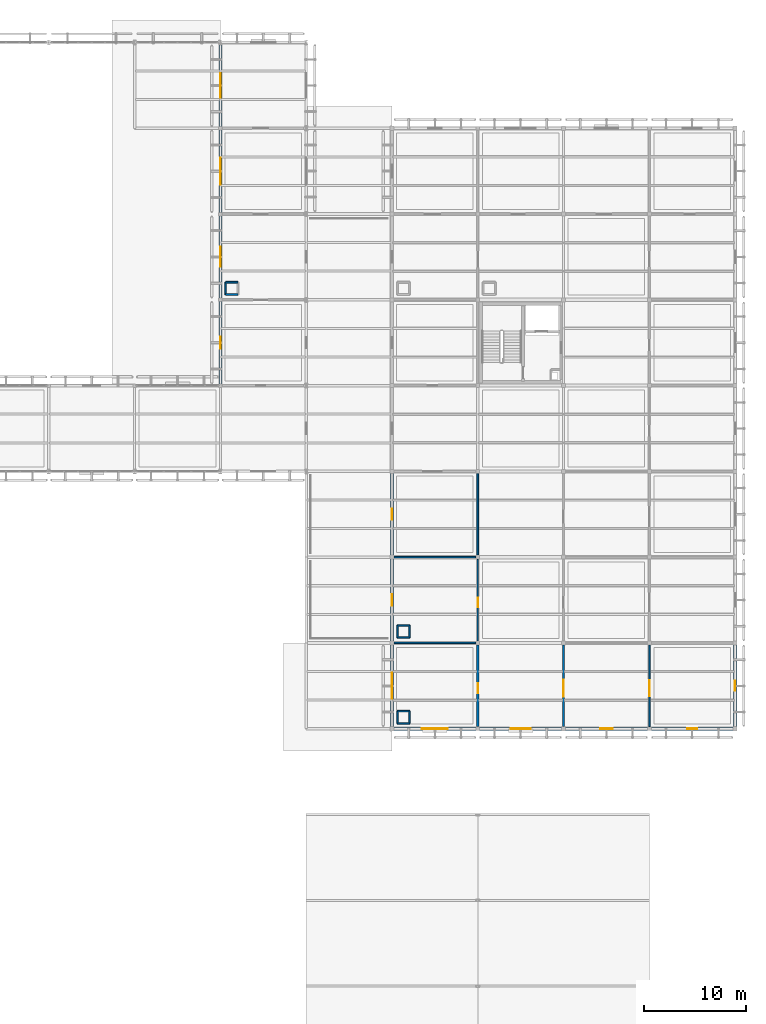
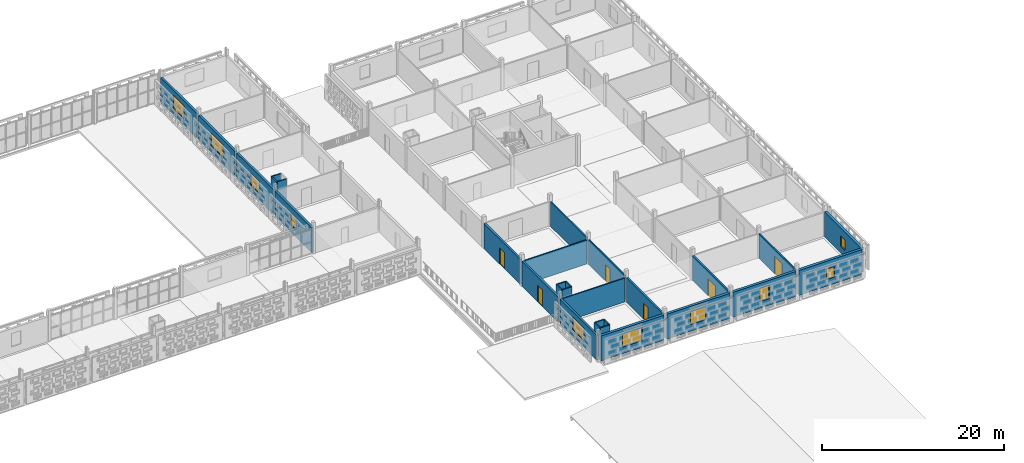
# One storey, part 89 of 140: 30 walls, 10 windows, 6 doors, 16 openings.
"""IFC4 building model written with IfcOpenShell, lengths in metres."""

from ifc_helpers import new_model, si_unit, direction, frame, frame_2d, origin, place, context, subcontext, project, spatial, rectangle, extrude, material, layer, layer_set, type_object, element, fill, save


model = new_model("IFC4")

# Units and contexts
model_context = context("Model", 3, precision=1e-05, world=origin(), true_north=direction((0.0, 1.0)))
body_context = subcontext(model_context, "Body", "Model", "MODEL_VIEW")
ifc_project = project(units=[si_unit("LENGTHUNIT", "METRE"), si_unit("AREAUNIT", "SQUARE_METRE"), si_unit("VOLUMEUNIT", "CUBIC_METRE"), si_unit("PLANEANGLEUNIT", "RADIAN"), si_unit("MASSUNIT", "GRAM", prefix="KILO")], contexts=[model_context])

# Site, building, storey
site_placement = place(None, origin())
site = spatial("IfcSite", under=ifc_project, at=site_placement, CompositionType="ELEMENT")
building_placement = place(site_placement, origin())
building = spatial("IfcBuilding", under=site, at=building_placement, Name="Varnapada Polytechnic", CompositionType="ELEMENT")
storey_placement = place(building_placement, frame((0.0, 0.0, 13.800048828125)))
storey = spatial("IfcBuildingStorey", under=building, at=storey_placement, Name="L03", CompositionType="ELEMENT", Elevation=13.800048828125)

# Walls
ifc_material_1 = material(Name="Autoclaved Aerated Concrete Block AAC-600", Category="concrete")
ifc_layer_1 = layer(ifc_material_1, 0.14990234375)
ifc_layer_set_1 = layer_set([ifc_layer_1], Name="Autoclaved Aerated Concrete Block AAC-600")
wall_type_1 = type_object("IfcWallType", Name="Interior Wall IW-02", PredefinedType="PARTITIONING", material=ifc_layer_set_1)
for number, where, z_axis, x_axis, name in (
    (1, (126.52001953125, 101.320068359375, 0.0), (0.0, 0.0, 1.0), (1.0, 0.0, 0.0), "L03 enclosed service riser wall (16,13) S"),
    (2, (127.719970703125, 102.52001953125, 0.0), (0.0, 0.0, 1.0), (-1.0, 0.0, 0.0), "L03 enclosed service riser wall (16,13) N"),
    (3, (126.52001953125, 102.52001953125, 0.0), (0.0, 0.0, 1.0), (0.0, -1.0, 0.0), "L03 enclosed service riser wall (16,13) W"),
):
    element("IfcWall", number, at=place(storey_placement, frame(where, z_axis=z_axis, x_axis=x_axis)), inside=storey, type_object=wall_type_1, Name=name, PredefinedType="PARTITIONING", context=body_context, shape_type="SweptSolid", body=[
        extrude(rectangle(XDim=1.199951171875, YDim=0.14990234375, at=frame_2d((0.60009765625, 0.0))), origin(), (0.0, 0.0, 1.0), 3.97998046875),
    ])
for number, where, z_axis, x_axis, name in (
    (4, (143.320068359375, 59.320068359375, 0.0), (0.0, 0.0, 1.0), (1.0, 0.0, 0.0), "L03 enclosed service riser wall (18,8) S"),
    (5, (144.52001953125, 59.320068359375, 0.0), (0.0, 0.0, 1.0), (0.0, 1.0, 0.0), "L03 enclosed service riser wall (18,8) E"),
    (6, (144.52001953125, 60.52001953125, 0.0), (0.0, 0.0, 1.0), (-1.0, 0.0, 0.0), "L03 enclosed service riser wall (18,8) N"),
    (7, (143.320068359375, 60.52001953125, 0.0), (0.0, 0.0, 1.0), (0.0, -1.0, 0.0), "L03 enclosed service riser wall (18,8) W"),
):
    element("IfcWall", number, at=place(storey_placement, frame(where, z_axis=z_axis, x_axis=x_axis)), inside=storey, type_object=wall_type_1, Name=name, PredefinedType="PARTITIONING", context=body_context, shape_type="SweptSolid", body=[
        extrude(rectangle(XDim=1.199951171875, YDim=0.14990234375, at=frame_2d((0.60009765625, 0.0))), origin(), (0.0, 0.0, 1.0), 3.969970703125),
    ])
for number, where, z_axis, x_axis, name in (
    (8, (143.320068359375, 67.719970703125, 0.0), (0.0, 0.0, 1.0), (1.0, 0.0, 0.0), "L03 enclosed service riser wall (18,9) S"),
    (9, (144.52001953125, 67.719970703125, 0.0), (0.0, 0.0, 1.0), (0.0, 1.0, 0.0), "L03 enclosed service riser wall (18,9) E"),
    (10, (144.52001953125, 68.919921875, 0.0), (0.0, 0.0, 1.0), (-1.0, 0.0, 0.0), "L03 enclosed service riser wall (18,9) N"),
    (11, (143.320068359375, 68.919921875, 0.0), (0.0, 0.0, 1.0), (0.0, -1.0, 0.0), "L03 enclosed service riser wall (18,9) W"),
):
    element("IfcWall", number, at=place(storey_placement, frame(where, z_axis=z_axis, x_axis=x_axis)), inside=storey, type_object=wall_type_1, Name=name, PredefinedType="PARTITIONING", context=body_context, shape_type="SweptSolid", body=[
        extrude(rectangle(XDim=1.199951171875, YDim=0.14990234375, at=frame_2d((0.60009765625, 0.0))), origin(), (0.0, 0.0, 1.0), 3.97998046875),
    ])
wall_1_placement = place(storey_placement, frame((143.02001953125, 67.199951171875, 0.0), z_axis=(0.0, 0.0, 1.0), x_axis=(1.0, 0.0, 0.0)))
element("IfcWall", 12, at=wall_1_placement, inside=storey, type_object=wall_type_1, Name="L03 interior partition IW-L03-17-07-H", PredefinedType="PARTITIONING", context=body_context, shape_type="SweptSolid", body=[
    extrude(rectangle(XDim=7.969970703125, YDim=0.14990234375, at=frame_2d((3.98486328125, 0.0))), origin(), (0.0, 0.0, 1.0), 3.2099609375),
])

# Wall, opening, door
wall_2_placement = place(storey_placement, frame((168.0, 59.010009765625, 0.0), z_axis=(0.0, 0.0, 1.0), x_axis=(0.0, 1.0, 0.0)))
wall_2 = element("IfcWall", 13, at=wall_2_placement, inside=storey, type_object=wall_type_1, Name="L03 interior partition IW-L03-19-07-V", PredefinedType="PARTITIONING", context=body_context, shape_type="SweptSolid", body=[
    extrude(rectangle(XDim=7.97998046875, YDim=0.14990234375, at=frame_2d((3.989990234375, 0.0))), origin(), (0.0, 0.0, 1.0), 3.320068359375),
])
opening_1_placement = place(wall_2_placement, frame((2.97509765625, 0.0, 0.0)))
opening_1 = element("IfcOpeningElement", 14, at=opening_1_placement, cuts=wall_2, Name="Opening D-1251", PredefinedType="OPENING", context=body_context, shape_type="SweptSolid", body=[
    extrude(rectangle(XDim=1.550048828125, YDim=2.35009765625, at=frame_2d((0.77490234375, 1.175048828125))), frame((0.0, 0.0849609375, 0.0), z_axis=(0.0, -1.0, 0.0), x_axis=(1.0, 0.0, 0.0)), (0.0, 0.0, 1.0), 0.169921875),
])
ifc_material_2 = material(Name="Galvanized Steel Z275", Category="steel")
door_type_1 = type_object("IfcDoorType", Name="Interior Door ID-12", OperationType="NOTDEFINED", PredefinedType="DOOR", material=ifc_material_2)
door_1_placement = place(opening_1_placement, origin())
door_1 = element("IfcDoor", 15, at=door_1_placement, inside=storey, type_object=door_type_1, Name="L03 interior room door D-1251", OperationType="SINGLE_SWING_RIGHT", OverallHeight=2.35009765625, OverallWidth=1.550048828125, PredefinedType="DOOR", context=body_context, shape_type="SweptSolid", body=[
    extrude(rectangle(XDim=1.550048828125, YDim=2.35009765625, at=frame_2d((0.77490234375, 1.175048828125))), frame((0.0, 0.02490234375, 0.0), z_axis=(0.0, -1.0, 0.0), x_axis=(1.0, 0.0, 0.0)), (0.0, 0.0, 1.0), 0.050048828125),
])
fill(opening_1, door_1)

ifc_material_3 = material(Name="Gypsum Plasterboard Acoustic Partition")
ifc_layer_2 = layer(ifc_material_3, 0.125)
ifc_layer_set_2 = layer_set([ifc_layer_2], Name="Gypsum Plasterboard Acoustic Partition")
wall_type_2 = type_object("IfcWallType", Name="Interior Wall IW-03", PredefinedType="PARTITIONING", material=ifc_layer_set_2)
wall_3_placement = place(storey_placement, frame((151.199951171875, 67.409912109375, 0.0), z_axis=(0.0, 0.0, 1.0), x_axis=(0.0, 1.0, 0.0)))
wall_3 = element("IfcWall", 16, at=wall_3_placement, inside=storey, type_object=wall_type_2, Name="L03 interior partition IW-L03-17-08-V", PredefinedType="PARTITIONING", context=body_context, shape_type="SweptSolid", body=[
    extrude(rectangle(XDim=7.97998046875, YDim=0.125, at=frame_2d((3.989990234375, 0.0))), origin(), (0.0, 0.0, 1.0), 3.320068359375),
])
opening_2_placement = place(wall_3_placement, frame((3.27490234375, 0.0, 0.0)))
opening_2 = element("IfcOpeningElement", 17, at=opening_2_placement, cuts=wall_3, Name="Opening D-1242", PredefinedType="OPENING", context=body_context, shape_type="SweptSolid", body=[
    extrude(rectangle(XDim=0.949951171875, YDim=2.14990234375, at=frame_2d((0.47509765625, 1.074951171875))), frame((0.0, 0.072509765625, 0.0), z_axis=(0.0, -1.0, 0.0), x_axis=(1.0, 0.0, 0.0)), (0.0, 0.0, 1.0), 0.14501953125),
])
ifc_material_4 = material(Name="Moisture-Resistant HPL Timber", Category="wood")
door_type_2 = type_object("IfcDoorType", Name="Interior Door ID-03", OperationType="NOTDEFINED", PredefinedType="DOOR", material=ifc_material_4)
door_2_placement = place(opening_2_placement, origin())
door_2 = element("IfcDoor", 18, at=door_2_placement, inside=storey, type_object=door_type_2, Name="L03 interior room door D-1242", OperationType="SINGLE_SWING_LEFT", OverallHeight=2.14990234375, OverallWidth=0.949951171875, PredefinedType="DOOR", context=body_context, shape_type="SweptSolid", body=[
    extrude(rectangle(XDim=0.949951171875, YDim=2.14990234375, at=frame_2d((0.47509765625, 1.074951171875))), frame((0.0, 0.02490234375, 0.0), z_axis=(0.0, -1.0, 0.0), x_axis=(1.0, 0.0, 0.0)), (0.0, 0.0, 1.0), 0.050048828125),
])
fill(opening_2, door_2)

# Walls
ifc_material_5 = material(Name="Moisture-Resistant Cement Board Partition")
ifc_layer_3 = layer(ifc_material_5, 0.139892578125)
ifc_layer_set_3 = layer_set([ifc_layer_3], Name="Moisture-Resistant Cement Board Partition")
wall_type_3 = type_object("IfcWallType", Name="Interior Wall IW-04", PredefinedType="PARTITIONING", material=ifc_layer_set_3)
wall_4_placement = place(storey_placement, frame((143.02001953125, 75.60009765625, 0.0), z_axis=(0.0, 0.0, 1.0), x_axis=(1.0, 0.0, 0.0)))
element("IfcWall", 19, at=wall_4_placement, inside=storey, type_object=wall_type_3, Name="L03 interior partition IW-L03-17-08-H", PredefinedType="PARTITIONING", context=body_context, shape_type="SweptSolid", body=[
    extrude(rectangle(XDim=7.969970703125, YDim=0.139892578125, at=frame_2d((3.98486328125, 0.0))), origin(), (0.0, 0.0, 1.0), 3.219970703125),
])
ifc_material_6 = material(Name="Cross-laminated timber CLT C24", Category="wood")
ifc_layer_4 = layer(ifc_material_6, 0.159912109375)
ifc_layer_set_4 = layer_set([ifc_layer_4], Name="Cross-laminated timber CLT C24")
wall_type_4 = type_object("IfcWallType", Name="Interior Wall IW-05", PredefinedType="PARTITIONING", material=ifc_layer_set_4)
wall_5_placement = place(storey_placement, frame((151.199951171875, 75.81005859375, 0.0), z_axis=(0.0, 0.0, 1.0), x_axis=(0.0, 1.0, 0.0)))
element("IfcWall", 20, at=wall_5_placement, inside=storey, type_object=wall_type_4, Name="L03 interior partition IW-L03-17-09-V", PredefinedType="PARTITIONING", context=body_context, shape_type="SweptSolid", body=[
    extrude(rectangle(XDim=7.97998046875, YDim=0.159912109375, at=frame_2d((3.989990234375, 0.0))), origin(), (0.0, 0.0, 1.0), 3.320068359375),
])

# Wall, opening, door
ifc_material_7 = material(Name="Heavy Acoustic Auditorium Baffle Wall")
ifc_layer_5 = layer(ifc_material_7, 0.219970703125)
ifc_layer_set_5 = layer_set([ifc_layer_5], Name="Heavy Acoustic Auditorium Baffle Wall")
wall_type_5 = type_object("IfcWallType", Name="Interior Wall IW-13", PredefinedType="PARTITIONING", material=ifc_layer_set_5)
wall_6_placement = place(storey_placement, frame((159.60009765625, 59.02001953125, 0.0), z_axis=(0.0, 0.0, 1.0), x_axis=(0.0, 1.0, 0.0)))
wall_6 = element("IfcWall", 21, at=wall_6_placement, inside=storey, type_object=wall_type_5, Name="L03 interior partition IW-L03-18-07-V", PredefinedType="PARTITIONING", context=body_context, shape_type="SweptSolid", body=[
    extrude(rectangle(XDim=7.9599609375, YDim=0.219970703125, at=frame_2d((3.97998046875, 0.0))), origin(), (0.0, 0.0, 1.0), 3.320068359375),
])
opening_3_placement = place(wall_6_placement, frame((2.925048828125, 0.0, 0.0)))
opening_3 = element("IfcOpeningElement", 22, at=opening_3_placement, cuts=wall_6, Name="Opening D-1247", PredefinedType="OPENING", context=body_context, shape_type="SweptSolid", body=[
    extrude(rectangle(XDim=1.64990234375, YDim=2.25, at=frame_2d((0.824951171875, 1.125))), frame((0.0, 0.119873046875, 0.0), z_axis=(0.0, -1.0, 0.0), x_axis=(1.0, 0.0, 0.0)), (0.0, 0.0, 1.0), 0.239990234375),
])
ifc_material_8 = material(Name="Solid Teak Hardwood Timber", Category="wood")
door_type_3 = type_object("IfcDoorType", Name="Interior Door ID-08", OperationType="NOTDEFINED", PredefinedType="DOOR", material=ifc_material_8)
door_3_placement = place(opening_3_placement, frame((1.64990234375, 0.0, 0.0), z_axis=(0.0, 0.0, 1.0), x_axis=(-1.0, 0.0, 0.0)))
door_3 = element("IfcDoor", 23, at=door_3_placement, inside=storey, type_object=door_type_3, Name="L03 interior room door D-1247", OperationType="SINGLE_SWING_RIGHT", OverallHeight=2.25, OverallWidth=1.64990234375, PredefinedType="DOOR", context=body_context, shape_type="SweptSolid", body=[
    extrude(rectangle(XDim=1.64990234375, YDim=2.25, at=frame_2d((0.824951171875, 1.125))), frame((0.0, 0.02490234375, 0.0), z_axis=(0.0, -1.0, 0.0), x_axis=(1.0, 0.0, 0.0)), (0.0, 0.0, 1.0), 0.050048828125),
])
fill(opening_3, door_3)

ifc_material_9 = material(Name="Double-Leaf Acoustic Lecture Wall")
ifc_layer_6 = layer(ifc_material_9, 0.235107421875)
ifc_layer_set_6 = layer_set([ifc_layer_6], Name="Double-Leaf Acoustic Lecture Wall")
wall_type_6 = type_object("IfcWallType", Name="Interior Wall IW-17", PredefinedType="PARTITIONING", material=ifc_layer_set_6)
wall_7_placement = place(storey_placement, frame((151.199951171875, 59.010009765625, 0.0), z_axis=(0.0, 0.0, 1.0), x_axis=(0.0, 1.0, 0.0)))
wall_7 = element("IfcWall", 24, at=wall_7_placement, inside=storey, type_object=wall_type_6, Name="L03 interior partition IW-L03-17-07-V", PredefinedType="PARTITIONING", context=body_context, shape_type="SweptSolid", body=[
    extrude(rectangle(XDim=7.97998046875, YDim=0.235107421875, at=frame_2d((3.989990234375, 0.0))), origin(), (0.0, 0.0, 1.0), 3.320068359375),
])
opening_4_placement = place(wall_7_placement, frame((3.25, 0.0, 0.0)))
opening_4 = element("IfcOpeningElement", 25, at=opening_4_placement, cuts=wall_7, Name="Opening D-1241", PredefinedType="OPENING", context=body_context, shape_type="SweptSolid", body=[
    extrude(rectangle(XDim=1.0, YDim=2.14990234375, at=frame_2d((0.5, 1.074951171875))), frame((0.0, 0.12744140625, 0.0), z_axis=(0.0, -1.0, 0.0), x_axis=(1.0, 0.0, 0.0)), (0.0, 0.0, 1.0), 0.255126953125),
])
door_type_4 = type_object("IfcDoorType", Name="Interior Door ID-02", OperationType="NOTDEFINED", PredefinedType="DOOR", material=ifc_material_8)
door_4_placement = place(opening_4_placement, frame((1.0, 0.0, 0.0), z_axis=(0.0, 0.0, 1.0), x_axis=(-1.0, 0.0, 0.0)))
door_4 = element("IfcDoor", 26, at=door_4_placement, inside=storey, type_object=door_type_4, Name="L03 interior room door D-1241", OperationType="SINGLE_SWING_RIGHT", OverallHeight=2.14990234375, OverallWidth=1.0, PredefinedType="DOOR", context=body_context, shape_type="SweptSolid", body=[
    extrude(rectangle(XDim=1.0, YDim=2.14990234375, at=frame_2d((0.5, 1.074951171875))), frame((0.0, 0.02490234375, 0.0), z_axis=(0.0, -1.0, 0.0), x_axis=(1.0, 0.0, 0.0)), (0.0, 0.0, 1.0), 0.050048828125),
])
fill(opening_4, door_4)

# Wall, opening, window
ifc_material_10 = material(Name="Precast concrete C40/50", Category="concrete")
ifc_layer_7 = layer(ifc_material_10, 0.280029296875)
ifc_layer_set_7 = layer_set([ifc_layer_7], Name="Precast concrete C40/50")
wall_type_7 = type_object("IfcWallType", Name="Wall EW-02", PredefinedType="SOLIDWALL", material=ifc_layer_set_7)
wall_8_placement = place(storey_placement, frame((126.0, 92.570068359375, 0.0), z_axis=(0.0, 0.0, 1.0), x_axis=(0.0, 1.0, 0.0)))
wall_8 = element("IfcWall", 27, at=wall_8_placement, inside=storey, type_object=wall_type_7, Name="L03 exterior wall EW-02 (70)", PredefinedType="SOLIDWALL", context=body_context, shape_type="SweptSolid", body=[
    extrude(rectangle(XDim=8.050048828125, YDim=0.280029296875, at=frame_2d((4.02490234375, 0.0))), origin(), (0.0, 0.0, 1.0), 3.35986328125),
])
opening_5_placement = place(wall_8_placement, frame((3.449951171875, 0.0, 0.89990234375)))
opening_5 = element("IfcOpeningElement", 28, at=opening_5_placement, cuts=wall_8, Name="Opening WN-29", PredefinedType="OPENING", context=body_context, shape_type="SweptSolid", body=[
    extrude(rectangle(XDim=1.14990234375, YDim=1.64990234375, at=frame_2d((0.574951171875, 0.824951171875))), frame((0.0, 0.14990234375, 0.0), z_axis=(0.0, -1.0, 0.0), x_axis=(1.0, 0.0, 0.0)), (0.0, 0.0, 1.0), 0.300048828125),
])
ifc_material_11 = material(Name="Double low-E laminated glass", Category="glass")
window_type_1 = type_object("IfcWindowType", Name="Window WN-29", PartitioningType="SINGLE_PANEL", PredefinedType="WINDOW", material=ifc_material_11)
window_1_placement = place(opening_5_placement, origin())
window_1 = element("IfcWindow", 29, at=window_1_placement, inside=storey, type_object=window_type_1, Name="L03 window WN-29 (154)", OverallHeight=1.64990234375, OverallWidth=1.14990234375, PartitioningType="SINGLE_PANEL", PredefinedType="WINDOW", context=body_context, shape_type="SweptSolid", body=[
    extrude(rectangle(XDim=1.14990234375, YDim=1.64990234375, at=frame_2d((0.574951171875, 0.824951171875))), frame((0.0, 0.030029296875, 0.0), z_axis=(0.0, -1.0, 0.0), x_axis=(1.0, 0.0, 0.0)), (0.0, 0.0, 1.0), 0.06005859375),
])
fill(opening_5, window_1)

wall_9_placement = place(storey_placement, frame((126.0, 100.97998046875, 0.0), z_axis=(0.0, 0.0, 1.0), x_axis=(0.0, 1.0, 0.0)))
wall_9 = element("IfcWall", 30, at=wall_9_placement, inside=storey, type_object=wall_type_7, Name="L03 exterior wall EW-02 (72)", PredefinedType="SOLIDWALL", context=body_context, shape_type="SweptSolid", body=[
    extrude(rectangle(XDim=8.050048828125, YDim=0.280029296875, at=frame_2d((4.02490234375, 0.0))), origin(), (0.0, 0.0, 1.0), 3.35986328125),
])
opening_6_placement = place(wall_9_placement, frame((3.050048828125, 0.0, 0.89990234375)))
opening_6 = element("IfcOpeningElement", 31, at=opening_6_placement, cuts=wall_9, Name="Opening WN-32", PredefinedType="OPENING", context=body_context, shape_type="SweptSolid", body=[
    extrude(rectangle(XDim=1.949951171875, YDim=1.699951171875, at=frame_2d((0.97509765625, 0.85009765625))), frame((0.0, 0.14990234375, 0.0), z_axis=(0.0, -1.0, 0.0), x_axis=(1.0, 0.0, 0.0)), (0.0, 0.0, 1.0), 0.300048828125),
])
window_type_2 = type_object("IfcWindowType", Name="Window WN-32", PartitioningType="SINGLE_PANEL", PredefinedType="WINDOW", material=ifc_material_11)
window_2_placement = place(opening_6_placement, origin())
window_2 = element("IfcWindow", 32, at=window_2_placement, inside=storey, type_object=window_type_2, Name="L03 window WN-32 (155)", OverallHeight=1.699951171875, OverallWidth=1.949951171875, PartitioningType="SINGLE_PANEL", PredefinedType="WINDOW", context=body_context, shape_type="SweptSolid", body=[
    extrude(rectangle(XDim=1.949951171875, YDim=1.699951171875, at=frame_2d((0.97509765625, 0.85009765625))), frame((0.0, 0.030029296875, 0.0), z_axis=(0.0, -1.0, 0.0), x_axis=(1.0, 0.0, 0.0)), (0.0, 0.0, 1.0), 0.06005859375),
])
fill(opening_6, window_2)

wall_10_placement = place(storey_placement, frame((126.0, 109.3701171875, 0.0), z_axis=(0.0, 0.0, 1.0), x_axis=(0.0, 1.0, 0.0)))
wall_10 = element("IfcWall", 33, at=wall_10_placement, inside=storey, type_object=wall_type_7, Name="L03 exterior wall EW-02 (74)", PredefinedType="SOLIDWALL", context=body_context, shape_type="SweptSolid", body=[
    extrude(rectangle(XDim=8.0498046875, YDim=0.280029296875, at=frame_2d((4.02490234375, 0.0))), origin(), (0.0, 0.0, 1.0), 3.35986328125),
])
opening_7_placement = place(wall_10_placement, frame((2.699951171875, 0.0, 0.89990234375)))
opening_7 = element("IfcOpeningElement", 34, at=opening_7_placement, cuts=wall_10, Name="Opening WN-35", PredefinedType="OPENING", context=body_context, shape_type="SweptSolid", body=[
    extrude(rectangle(XDim=2.64990234375, YDim=1.800048828125, at=frame_2d((1.324951171875, 0.89990234375))), frame((0.0, 0.14990234375, 0.0), z_axis=(0.0, -1.0, 0.0), x_axis=(1.0, 0.0, 0.0)), (0.0, 0.0, 1.0), 0.300048828125),
])
window_type_3 = type_object("IfcWindowType", Name="Window WN-35", PartitioningType="SINGLE_PANEL", PredefinedType="WINDOW", material=ifc_material_11)
window_3_placement = place(opening_7_placement, origin())
window_3 = element("IfcWindow", 35, at=window_3_placement, inside=storey, type_object=window_type_3, Name="L03 window WN-35 (156)", OverallHeight=1.800048828125, OverallWidth=2.64990234375, PartitioningType="SINGLE_PANEL", PredefinedType="WINDOW", context=body_context, shape_type="SweptSolid", body=[
    extrude(rectangle(XDim=2.64990234375, YDim=1.800048828125, at=frame_2d((1.324951171875, 0.89990234375))), frame((0.0, 0.030029296875, 0.0), z_axis=(0.0, -1.0, 0.0), x_axis=(1.0, 0.0, 0.0)), (0.0, 0.0, 1.0), 0.06005859375),
])
fill(opening_7, window_3)

wall_11_placement = place(storey_placement, frame((126.0, 117.780029296875, 0.0), z_axis=(0.0, 0.0, 1.0), x_axis=(0.0, 1.0, 0.0)))
wall_11 = element("IfcWall", 36, at=wall_11_placement, inside=storey, type_object=wall_type_7, Name="L03 exterior wall EW-02 (77)", PredefinedType="SOLIDWALL", context=body_context, shape_type="SweptSolid", body=[
    extrude(rectangle(XDim=7.994873046875, YDim=0.280029296875, at=frame_2d((3.99755859375, 0.0))), origin(), (0.0, 0.0, 1.0), 3.35986328125),
])
opening_8_placement = place(wall_11_placement, frame((2.797607421875, 0.0, 0.89990234375)))
opening_8 = element("IfcOpeningElement", 37, at=opening_8_placement, cuts=wall_11, Name="Opening WN-02", PredefinedType="OPENING", context=body_context, shape_type="SweptSolid", body=[
    extrude(rectangle(XDim=2.39990234375, YDim=1.800048828125, at=frame_2d((1.199951171875, 0.89990234375))), frame((0.0, 0.14990234375, 0.0), z_axis=(0.0, -1.0, 0.0), x_axis=(1.0, 0.0, 0.0)), (0.0, 0.0, 1.0), 0.300048828125),
])
window_type_4 = type_object("IfcWindowType", Name="Window WN-02", PartitioningType="SINGLE_PANEL", PredefinedType="WINDOW", material=ifc_material_11)
window_4_placement = place(opening_8_placement, origin())
window_4 = element("IfcWindow", 38, at=window_4_placement, inside=storey, type_object=window_type_4, Name="L03 window WN-02 (159)", OverallHeight=1.800048828125, OverallWidth=2.39990234375, PartitioningType="SINGLE_PANEL", PredefinedType="WINDOW", context=body_context, shape_type="SweptSolid", body=[
    extrude(rectangle(XDim=2.39990234375, YDim=1.800048828125, at=frame_2d((1.199951171875, 0.89990234375))), frame((0.0, 0.030029296875, 0.0), z_axis=(0.0, -1.0, 0.0), x_axis=(1.0, 0.0, 0.0)), (0.0, 0.0, 1.0), 0.06005859375),
])
fill(opening_8, window_4)

ifc_layer_8 = layer(ifc_material_10, 0.260009765625)
ifc_layer_set_8 = layer_set([ifc_layer_8], Name="Precast concrete C40/50")
wall_type_8 = type_object("IfcWallType", Name="Wall EW-03", PredefinedType="SOLIDWALL", material=ifc_layer_set_8)
wall_12_placement = place(storey_placement, frame((142.800048828125, 59.0, 0.0), z_axis=(0.0, 0.0, 1.0), x_axis=(0.0, 1.0, 0.0)))
wall_12 = element("IfcWall", 39, at=wall_12_placement, inside=storey, type_object=wall_type_8, Name="L03 exterior wall EW-03 (80)", PredefinedType="SOLIDWALL", context=body_context, shape_type="SweptSolid", body=[
    extrude(rectangle(XDim=8.0, YDim=0.260009765625, at=frame_2d((4.0, 0.0))), origin(), (0.0, 0.0, 1.0), 3.35986328125),
])
opening_9_placement = place(wall_12_placement, frame((2.72509765625, 0.0, 0.89990234375)))
opening_9 = element("IfcOpeningElement", 40, at=opening_9_placement, cuts=wall_12, Name="Opening WN-27", PredefinedType="OPENING", context=body_context, shape_type="SweptSolid", body=[
    extrude(rectangle(XDim=2.550048828125, YDim=1.75, at=frame_2d((1.27490234375, 0.875))), frame((0.0, 0.139892578125, 0.0), z_axis=(0.0, -1.0, 0.0), x_axis=(1.0, 0.0, 0.0)), (0.0, 0.0, 1.0), 0.280029296875),
])
window_type_5 = type_object("IfcWindowType", Name="Window WN-27", PartitioningType="SINGLE_PANEL", PredefinedType="WINDOW", material=ifc_material_11)
window_5_placement = place(opening_9_placement, origin())
window_5 = element("IfcWindow", 41, at=window_5_placement, inside=storey, type_object=window_type_5, Name="L03 window WN-27 (162)", OverallHeight=1.75, OverallWidth=2.550048828125, PartitioningType="SINGLE_PANEL", PredefinedType="WINDOW", context=body_context, shape_type="SweptSolid", body=[
    extrude(rectangle(XDim=2.550048828125, YDim=1.75, at=frame_2d((1.27490234375, 0.875))), frame((0.0, 0.030029296875, 0.0), z_axis=(0.0, -1.0, 0.0), x_axis=(1.0, 0.0, 0.0)), (0.0, 0.0, 1.0), 0.06005859375),
])
fill(opening_9, window_5)

# Wall, opening, door
wall_13_placement = place(storey_placement, frame((142.800048828125, 67.39990234375, 0.0), z_axis=(0.0, 0.0, 1.0), x_axis=(0.0, 1.0, 0.0)))
wall_13 = element("IfcWall", 42, at=wall_13_placement, inside=storey, type_object=wall_type_8, Name="L03 exterior wall EW-03 (81)", PredefinedType="SOLIDWALL", context=body_context, shape_type="SweptSolid", body=[
    extrude(rectangle(XDim=8.0, YDim=0.260009765625, at=frame_2d((4.0, 0.0))), origin(), (0.0, 0.0, 1.0), 3.35986328125),
])
opening_10_placement = place(wall_13_placement, frame((3.449951171875, 0.0, 0.0)))
opening_10 = element("IfcOpeningElement", 43, at=opening_10_placement, cuts=wall_13, Name="Opening D-042", PredefinedType="OPENING", context=body_context, shape_type="SweptSolid", body=[
    extrude(rectangle(XDim=1.10009765625, YDim=2.199951171875, at=frame_2d((0.550048828125, 1.10009765625))), frame((0.0, 0.139892578125, 0.0), z_axis=(0.0, -1.0, 0.0), x_axis=(1.0, 0.0, 0.0)), (0.0, 0.0, 1.0), 0.280029296875),
])
ifc_material_12 = material(Name="Anodised aluminium and laminated glass", Category="aluminium")
door_type_5 = type_object("IfcDoorType", Name="Exterior Door ED-03", OperationType="NOTDEFINED", PredefinedType="DOOR", material=ifc_material_12)
door_5_placement = place(opening_10_placement, origin())
door_5 = element("IfcDoor", 44, at=door_5_placement, inside=storey, type_object=door_type_5, Name="L03 roof terrace access door D-042", OperationType="SINGLE_SWING_LEFT", OverallHeight=2.199951171875, OverallWidth=1.10009765625, PredefinedType="DOOR", context=body_context, shape_type="SweptSolid", body=[
    extrude(rectangle(XDim=1.10009765625, YDim=2.199951171875, at=frame_2d((0.550048828125, 1.10009765625))), frame((0.0, 0.02490234375, 0.0), z_axis=(0.0, -1.0, 0.0), x_axis=(1.0, 0.0, 0.0)), (0.0, 0.0, 1.0), 0.050048828125),
])
fill(opening_10, door_5)

wall_14_placement = place(storey_placement, frame((142.800048828125, 75.800048828125, 0.0), z_axis=(0.0, 0.0, 1.0), x_axis=(0.0, 1.0, 0.0)))
wall_14 = element("IfcWall", 45, at=wall_14_placement, inside=storey, type_object=wall_type_8, Name="L03 exterior wall EW-03 (82)", PredefinedType="SOLIDWALL", context=body_context, shape_type="SweptSolid", body=[
    extrude(rectangle(XDim=8.0, YDim=0.260009765625, at=frame_2d((4.0, 0.0))), origin(), (0.0, 0.0, 1.0), 3.35986328125),
])
opening_11_placement = place(wall_14_placement, frame((3.449951171875, 0.0, 0.0)))
opening_11 = element("IfcOpeningElement", 46, at=opening_11_placement, cuts=wall_14, Name="Opening D-043", PredefinedType="OPENING", context=body_context, shape_type="SweptSolid", body=[
    extrude(rectangle(XDim=1.10009765625, YDim=2.199951171875, at=frame_2d((0.550048828125, 1.10009765625))), frame((0.0, 0.139892578125, 0.0), z_axis=(0.0, -1.0, 0.0), x_axis=(1.0, 0.0, 0.0)), (0.0, 0.0, 1.0), 0.280029296875),
])
door_6_placement = place(opening_11_placement, origin())
door_6 = element("IfcDoor", 47, at=door_6_placement, inside=storey, type_object=door_type_5, Name="L03 roof terrace access door D-043", OperationType="SINGLE_SWING_RIGHT", OverallHeight=2.199951171875, OverallWidth=1.10009765625, PredefinedType="DOOR", context=body_context, shape_type="SweptSolid", body=[
    extrude(rectangle(XDim=1.10009765625, YDim=2.199951171875, at=frame_2d((0.550048828125, 1.10009765625))), frame((0.0, 0.02490234375, 0.0), z_axis=(0.0, -1.0, 0.0), x_axis=(1.0, 0.0, 0.0)), (0.0, 0.0, 1.0), 0.050048828125),
])
fill(opening_11, door_6)

# Wall, opening, window
ifc_layer_9 = layer(ifc_material_10, 0.340087890625)
ifc_layer_set_9 = layer_set([ifc_layer_9], Name="Precast concrete C40/50")
wall_type_9 = type_object("IfcWallType", Name="Wall EW-07", PredefinedType="SOLIDWALL", material=ifc_layer_set_9)
wall_15_placement = place(storey_placement, frame((151.010009765625, 58.800048828125, 0.0), z_axis=(0.0, 0.0, 1.0), x_axis=(-1.0, 0.0, 0.0)))
wall_15 = element("IfcWall", 48, at=wall_15_placement, inside=storey, type_object=wall_type_9, Name="L03 exterior wall EW-07 (79)", PredefinedType="SOLIDWALL", context=body_context, shape_type="SweptSolid", body=[
    extrude(rectangle(XDim=8.010009765625, YDim=0.340087890625, at=frame_2d((4.0048828125, 0.0))), origin(), (0.0, 0.0, 1.0), 3.35986328125),
])
opening_12_placement = place(wall_15_placement, frame((2.72998046875, 0.0, 0.89990234375)))
opening_12 = element("IfcOpeningElement", 49, at=opening_12_placement, cuts=wall_15, Name="Opening WN-27", PredefinedType="OPENING", context=body_context, shape_type="SweptSolid", body=[
    extrude(rectangle(XDim=2.550048828125, YDim=1.75, at=frame_2d((1.27490234375, 0.875))), frame((0.0, 0.179931640625, 0.0), z_axis=(0.0, -1.0, 0.0), x_axis=(1.0, 0.0, 0.0)), (0.0, 0.0, 1.0), 0.360107421875),
])
window_6_placement = place(opening_12_placement, origin())
window_6 = element("IfcWindow", 50, at=window_6_placement, inside=storey, type_object=window_type_5, Name="L03 window WN-27 (161)", OverallHeight=1.75, OverallWidth=2.550048828125, PartitioningType="SINGLE_PANEL", PredefinedType="WINDOW", context=body_context, shape_type="SweptSolid", body=[
    extrude(rectangle(XDim=2.550048828125, YDim=1.75, at=frame_2d((1.27490234375, 0.875))), frame((0.0, 0.030029296875, 0.0), z_axis=(0.0, -1.0, 0.0), x_axis=(1.0, 0.0, 0.0)), (0.0, 0.0, 1.0), 0.06005859375),
])
fill(opening_12, window_6)

wall_16_placement = place(storey_placement, frame((159.39990234375, 58.800048828125, 0.0), z_axis=(0.0, 0.0, 1.0), x_axis=(-1.0, 0.0, 0.0)))
wall_16 = element("IfcWall", 51, at=wall_16_placement, inside=storey, type_object=wall_type_9, Name="L03 exterior wall EW-07 (88)", PredefinedType="SOLIDWALL", context=body_context, shape_type="SweptSolid", body=[
    extrude(rectangle(XDim=8.010009765625, YDim=0.340087890625, at=frame_2d((4.0048828125, 0.0))), origin(), (0.0, 0.0, 1.0), 3.35986328125),
])
opening_13_placement = place(wall_16_placement, frame((3.030029296875, 0.0, 0.89990234375)))
opening_13 = element("IfcOpeningElement", 52, at=opening_13_placement, cuts=wall_16, Name="Opening WN-32", PredefinedType="OPENING", context=body_context, shape_type="SweptSolid", body=[
    extrude(rectangle(XDim=1.949951171875, YDim=1.699951171875, at=frame_2d((0.97509765625, 0.85009765625))), frame((0.0, 0.179931640625, 0.0), z_axis=(0.0, -1.0, 0.0), x_axis=(1.0, 0.0, 0.0)), (0.0, 0.0, 1.0), 0.360107421875),
])
window_7_placement = place(opening_13_placement, origin())
window_7 = element("IfcWindow", 53, at=window_7_placement, inside=storey, type_object=window_type_2, Name="L03 window WN-32 (165)", OverallHeight=1.699951171875, OverallWidth=1.949951171875, PartitioningType="SINGLE_PANEL", PredefinedType="WINDOW", context=body_context, shape_type="SweptSolid", body=[
    extrude(rectangle(XDim=1.949951171875, YDim=1.699951171875, at=frame_2d((0.97509765625, 0.85009765625))), frame((0.0, 0.030029296875, 0.0), z_axis=(0.0, -1.0, 0.0), x_axis=(1.0, 0.0, 0.0)), (0.0, 0.0, 1.0), 0.06005859375),
])
fill(opening_13, window_7)

wall_17_placement = place(storey_placement, frame((167.81005859375, 58.800048828125, 0.0), z_axis=(0.0, 0.0, 1.0), x_axis=(-1.0, 0.0, 0.0)))
wall_17 = element("IfcWall", 54, at=wall_17_placement, inside=storey, type_object=wall_type_9, Name="L03 exterior wall EW-07 (90)", PredefinedType="SOLIDWALL", context=body_context, shape_type="SweptSolid", body=[
    extrude(rectangle(XDim=8.010009765625, YDim=0.340087890625, at=frame_2d((4.0048828125, 0.0))), origin(), (0.0, 0.0, 1.0), 3.35986328125),
])
opening_14_placement = place(wall_17_placement, frame((3.405029296875, 0.0, 0.89990234375)))
opening_14 = element("IfcOpeningElement", 55, at=opening_14_placement, cuts=wall_17, Name="Opening WN-01", PredefinedType="OPENING", context=body_context, shape_type="SweptSolid", body=[
    extrude(rectangle(XDim=1.199951171875, YDim=1.800048828125, at=frame_2d((0.60009765625, 0.89990234375))), frame((0.0, 0.179931640625, 0.0), z_axis=(0.0, -1.0, 0.0), x_axis=(1.0, 0.0, 0.0)), (0.0, 0.0, 1.0), 0.360107421875),
])
window_type_6 = type_object("IfcWindowType", Name="Window WN-01", PartitioningType="SINGLE_PANEL", PredefinedType="WINDOW", material=ifc_material_11)
window_8_placement = place(opening_14_placement, origin())
window_8 = element("IfcWindow", 56, at=window_8_placement, inside=storey, type_object=window_type_6, Name="L03 window WN-01 (167)", OverallHeight=1.800048828125, OverallWidth=1.199951171875, PartitioningType="SINGLE_PANEL", PredefinedType="WINDOW", context=body_context, shape_type="SweptSolid", body=[
    extrude(rectangle(XDim=1.199951171875, YDim=1.800048828125, at=frame_2d((0.60009765625, 0.89990234375))), frame((0.0, 0.030029296875, 0.0), z_axis=(0.0, -1.0, 0.0), x_axis=(1.0, 0.0, 0.0)), (0.0, 0.0, 1.0), 0.06005859375),
])
fill(opening_14, window_8)

wall_18_placement = place(storey_placement, frame((176.199951171875, 58.800048828125, 0.0), z_axis=(0.0, 0.0, 1.0), x_axis=(-1.0, 0.0, 0.0)))
wall_18 = element("IfcWall", 57, at=wall_18_placement, inside=storey, type_object=wall_type_9, Name="L03 exterior wall EW-07 (92)", PredefinedType="SOLIDWALL", context=body_context, shape_type="SweptSolid", body=[
    extrude(rectangle(XDim=8.010009765625, YDim=0.340087890625, at=frame_2d((4.0048828125, 0.0))), origin(), (0.0, 0.0, 1.0), 3.35986328125),
])
opening_15_placement = place(wall_18_placement, frame((3.5048828125, 0.0, 0.89990234375)))
opening_15 = element("IfcOpeningElement", 58, at=opening_15_placement, cuts=wall_18, Name="Opening WN-06", PredefinedType="OPENING", context=body_context, shape_type="SweptSolid", body=[
    extrude(rectangle(XDim=1.0, YDim=1.39990234375, at=frame_2d((0.5, 0.699951171875))), frame((0.0, 0.179931640625, 0.0), z_axis=(0.0, -1.0, 0.0), x_axis=(1.0, 0.0, 0.0)), (0.0, 0.0, 1.0), 0.360107421875),
])
window_type_7 = type_object("IfcWindowType", Name="Window WN-06", PartitioningType="SINGLE_PANEL", PredefinedType="WINDOW", material=ifc_material_11)
window_9_placement = place(opening_15_placement, origin())
window_9 = element("IfcWindow", 59, at=window_9_placement, inside=storey, type_object=window_type_7, Name="L03 window WN-06 (169)", OverallHeight=1.39990234375, OverallWidth=1.0, PartitioningType="SINGLE_PANEL", PredefinedType="WINDOW", context=body_context, shape_type="SweptSolid", body=[
    extrude(rectangle(XDim=1.0, YDim=1.39990234375, at=frame_2d((0.5, 0.699951171875))), frame((0.0, 0.030029296875, 0.0), z_axis=(0.0, -1.0, 0.0), x_axis=(1.0, 0.0, 0.0)), (0.0, 0.0, 1.0), 0.06005859375),
])
fill(opening_15, window_9)

wall_19_placement = place(storey_placement, frame((176.39990234375, 67.0, 0.0), z_axis=(0.0, 0.0, 1.0), x_axis=(0.0, -1.0, 0.0)))
wall_19 = element("IfcWall", 60, at=wall_19_placement, inside=storey, type_object=wall_type_9, Name="L03 exterior wall EW-07 (93)", PredefinedType="SOLIDWALL", context=body_context, shape_type="SweptSolid", body=[
    extrude(rectangle(XDim=8.0, YDim=0.340087890625, at=frame_2d((4.0, 0.0))), origin(), (0.0, 0.0, 1.0), 3.35986328125),
])
opening_16_placement = place(wall_19_placement, frame((3.5, 0.0, 0.89990234375)))
opening_16 = element("IfcOpeningElement", 61, at=opening_16_placement, cuts=wall_19, Name="Opening WN-06", PredefinedType="OPENING", context=body_context, shape_type="SweptSolid", body=[
    extrude(rectangle(XDim=1.0, YDim=1.39990234375, at=frame_2d((0.5, 0.699951171875))), frame((0.0, 0.179931640625, 0.0), z_axis=(0.0, -1.0, 0.0), x_axis=(1.0, 0.0, 0.0)), (0.0, 0.0, 1.0), 0.360107421875),
])
window_10_placement = place(opening_16_placement, origin())
window_10 = element("IfcWindow", 62, at=window_10_placement, inside=storey, type_object=window_type_7, Name="L03 window WN-06 (170)", OverallHeight=1.39990234375, OverallWidth=1.0, PartitioningType="SINGLE_PANEL", PredefinedType="WINDOW", context=body_context, shape_type="SweptSolid", body=[
    extrude(rectangle(XDim=1.0, YDim=1.39990234375, at=frame_2d((0.5, 0.699951171875))), frame((0.0, 0.030029296875, 0.0), z_axis=(0.0, -1.0, 0.0), x_axis=(1.0, 0.0, 0.0)), (0.0, 0.0, 1.0), 0.06005859375),
])
fill(opening_16, window_10)

save(model, "model.ifc")
